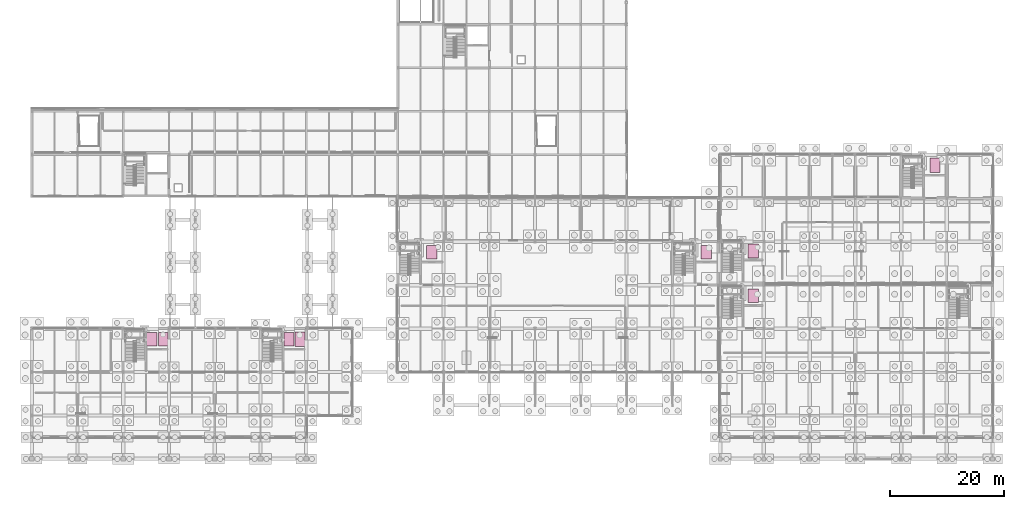
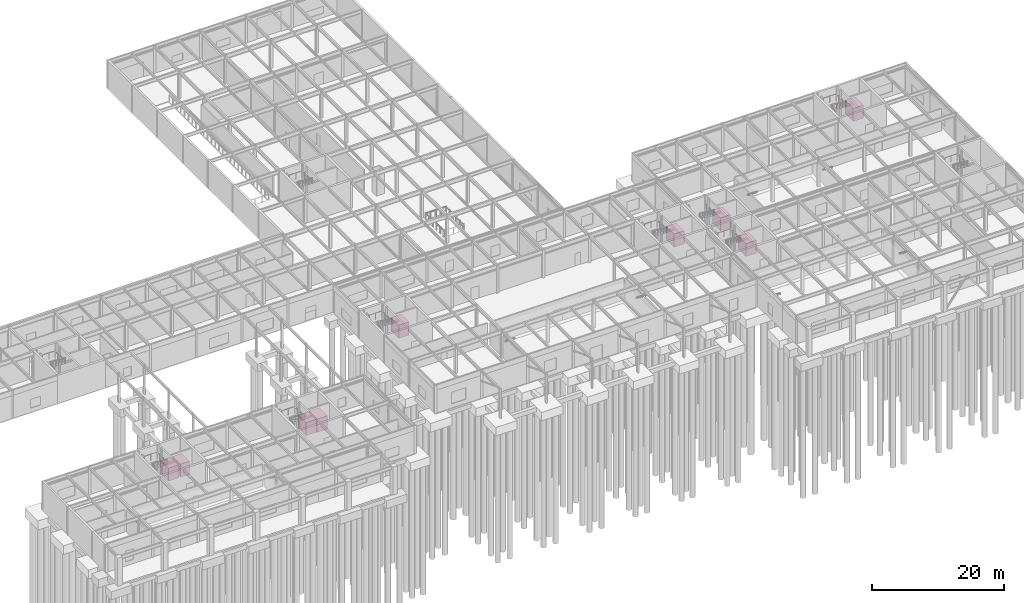
# One storey, part 62 of 62: 9 transport elements.
"""IFC4 building model written with IfcOpenShell, lengths in metres."""

from ifc_helpers import new_model, si_unit, direction, frame, origin, origin_2d, place, context, subcontext, project, spatial, rectangle, extrude, material, type_object, element, save


model = new_model("IFC4")

# Units and contexts
model_context = context("Model", 3, precision=1e-05, world=origin(), true_north=direction((0.0, 1.0)))
body_context = subcontext(model_context, "Body", "Model", "MODEL_VIEW")
ifc_project = project(units=[si_unit("LENGTHUNIT", "METRE"), si_unit("AREAUNIT", "SQUARE_METRE"), si_unit("VOLUMEUNIT", "CUBIC_METRE"), si_unit("PLANEANGLEUNIT", "RADIAN"), si_unit("MASSUNIT", "GRAM", prefix="KILO")], contexts=[model_context])

# Site, building, storey
site_placement = place(None, origin())
site = spatial("IfcSite", under=ifc_project, at=site_placement, CompositionType="ELEMENT")
building_placement = place(site_placement, origin())
building = spatial("IfcBuilding", under=site, at=building_placement, Name="Zulena Civic Courthouse", CompositionType="ELEMENT")
storey_placement = place(building_placement, origin())
storey = spatial("IfcBuildingStorey", under=building, at=storey_placement, Name="L00", CompositionType="ELEMENT", Elevation=0.0)

# Transport elements
ifc_material = material(Name="Brushed stainless steel AISI 304", Category="steel")
transport_element_type_1 = type_object("IfcTransportElementType", Name="Lift_CustodyGoods_1800x2500", PredefinedType="ELEVATOR", material=ifc_material)
for number, where, z_axis, x_axis, name in (
    (1, (50.89990234375, 20.949951171875, 0.0), (0.0, 0.0, 1.0), (1.0, 0.0, 0.0), "Lift CL-01"),
    (2, (161.949951171875, 51.35009765625, 0.0), (0.0, 0.0, 1.0), (1.0, 0.0, 0.0), "Lift GL-01"),
):
    element("IfcTransportElement", number, at=place(storey_placement, frame(where, z_axis=z_axis, x_axis=x_axis)), inside=storey, type_object=transport_element_type_1, Name=name, PredefinedType="ELEVATOR", context=body_context, shape_type="SweptSolid", body=[
        extrude(rectangle(XDim=1.800048828125, YDim=2.5, at=origin_2d()), origin(), (0.0, 0.0, 1.0), 2.39990234375),
    ])
transport_element_type_2 = type_object("IfcTransportElementType", Name="Lift_Firefighting_1800x2400", PredefinedType="ELEVATOR", material=ifc_material)
for number, where, z_axis, x_axis, name in (
    (3, (25.0, 20.949951171875, 0.0), (0.0, 0.0, 1.0), (1.0, 0.0, 0.0), "Lift FL-01"),
    (4, (49.0, 20.949951171875, 0.0), (0.0, 0.0, 1.0), (1.0, 0.0, 0.0), "Lift FL-02"),
):
    element("IfcTransportElement", number, at=place(storey_placement, frame(where, z_axis=z_axis, x_axis=x_axis)), inside=storey, type_object=transport_element_type_2, Name=name, PredefinedType="ELEVATOR", context=body_context, shape_type="SweptSolid", body=[
        extrude(rectangle(XDim=1.800048828125, YDim=2.39990234375, at=origin_2d()), origin(), (0.0, 0.0, 1.0), 2.39990234375),
    ])
transport_element_type_3 = type_object("IfcTransportElementType", Name="Lift_Judicial_1600x2400", PredefinedType="ELEVATOR", material=ifc_material)
transport_element_placement = place(storey_placement, frame((27.0, 20.949951171875, 0.0), z_axis=(0.0, 0.0, 1.0), x_axis=(1.0, 0.0, 0.0)))
element("IfcTransportElement", 5, at=transport_element_placement, inside=storey, type_object=transport_element_type_3, Name="Lift JL-01", PredefinedType="ELEVATOR", context=body_context, shape_type="SweptSolid", body=[
    extrude(rectangle(XDim=1.60009765625, YDim=2.39990234375, at=origin_2d()), origin(), (0.0, 0.0, 1.0), 2.39990234375),
])
transport_element_type_4 = type_object("IfcTransportElementType", Name="Lift_Public_1800x2400", PredefinedType="ELEVATOR", material=ifc_material)
for number, where, z_axis, x_axis, name in (
    (6, (130.14990234375, 28.550048828125, 0.0), (0.0, 0.0, 1.0), (1.0, 0.0, 0.0), "Lift PL-01"),
    (7, (130.14990234375, 36.35009765625, 0.0), (0.0, 0.0, 1.0), (1.0, 0.0, 0.0), "Lift PL-02"),
    (8, (73.949951171875, 36.14990234375, 0.0), (0.0, 0.0, 1.0), (1.0, 0.0, 0.0), "Lift PL-03"),
    (9, (121.949951171875, 36.14990234375, 0.0), (0.0, 0.0, 1.0), (1.0, 0.0, 0.0), "Lift PL-04"),
):
    element("IfcTransportElement", number, at=place(storey_placement, frame(where, z_axis=z_axis, x_axis=x_axis)), inside=storey, type_object=transport_element_type_4, Name=name, PredefinedType="ELEVATOR", context=body_context, shape_type="SweptSolid", body=[
        extrude(rectangle(XDim=1.800048828125, YDim=2.39990234375, at=origin_2d()), origin(), (0.0, 0.0, 1.0), 2.39990234375),
    ])

save(model, "model.ifc")
